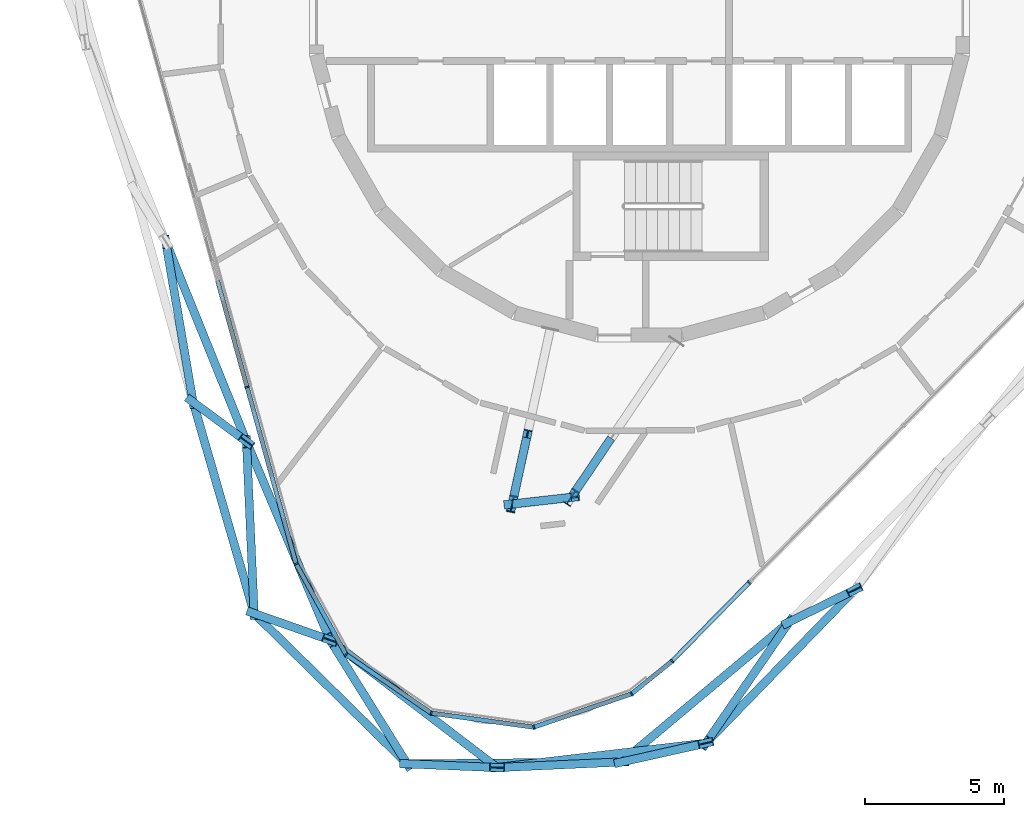
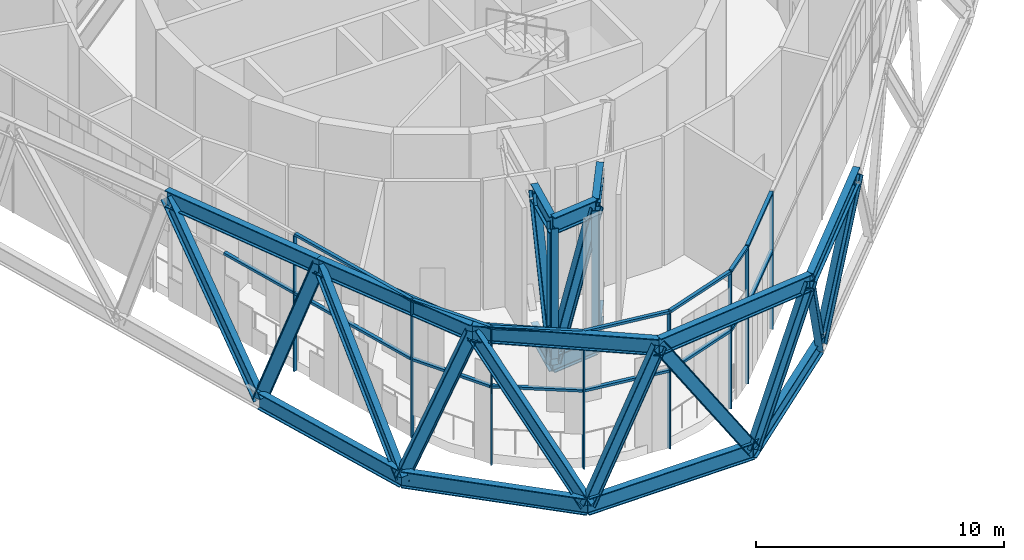
# One storey, part 1 of 23: 52 members, 3 elements without a shape of their own.
"""IFC4 building model written with IfcOpenShell, lengths in metres."""

import ifcopenshell
import ifcopenshell.guid

model = None  # the IFC model being written
_history = None  # IfcOwnerHistory: only IFC2X3 demands one
_inside = {}  # id of a spatial element -> (the spatial element, [elements in it])
_under = {}  # id of a project, library or spatial element -> (it, [spatial elements below it])
_declared = {}  # id of a project -> (the project, [libraries it declares])
_typed = {}  # id of a type object -> (the type object, [elements of that type])
_made_of = {}  # id of a material, layer set ... -> (it, [elements and type objects made of it])


def new_model(schema):
    """Start an empty IFC model of exactly this schema.

    Asked for "IFC4X3", IfcOpenShell would pick the latest addendum, in which some entities
    have other attributes; the version numbers below select the first issue.
    IFC2X3 requires an IfcOwnerHistory on every rooted entity: one is made here for all.
    """
    global model, _history
    if schema == "IFC4X3":
        model = ifcopenshell.file(schema_version=(4, 3, 0, 0))
    else:
        model = ifcopenshell.file(schema=schema)
    _inside.clear()
    _under.clear()
    _declared.clear()
    _typed.clear()
    _made_of.clear()
    _history = None
    if model.schema == "IFC2X3":
        org = make("IfcOrganization", Name="unknown")
        user = make(
            "IfcPersonAndOrganization",
            ThePerson=make("IfcPerson", FamilyName="unknown"),
            TheOrganization=org,
        )
        app = make(
            "IfcApplication",
            ApplicationDeveloper=org,
            Version="unknown",
            ApplicationFullName="unknown",
            ApplicationIdentifier="unknown",
        )
        _history = make(
            "IfcOwnerHistory",
            OwningUser=user,
            OwningApplication=app,
            ChangeAction="ADDED",
            CreationDate=0,
        )
    return model


def make(cls, **values):
    """One entity of the class cls with the attributes given. An attribute that is None is left unset."""
    return model.create_entity(
        cls, **{name: value for name, value in values.items() if value is not None}
    )


def rooted(cls, **values):
    """An entity with a GlobalId (a new one), such as an element, a storey or a relation."""
    return make(cls, GlobalId=ifcopenshell.guid.new(), OwnerHistory=_history, **values)


def si_unit(unit_type, name, prefix=None):
    """IfcSIUnit, for example si_unit("LENGTHUNIT", "METRE", prefix="MILLI")."""
    return make("IfcSIUnit", UnitType=unit_type, Prefix=prefix, Name=name)


def assignment(units):
    """IfcUnitAssignment: the units of a project."""
    return None if units is None else make("IfcUnitAssignment", Units=units)


def point(xyz):
    """IfcCartesianPoint."""
    return None if xyz is None else make("IfcCartesianPoint", Coordinates=xyz)


def direction(xyz):
    """IfcDirection."""
    return None if xyz is None else make("IfcDirection", DirectionRatios=xyz)


def frame(location, z_axis=None, x_axis=None):
    """IfcAxis2Placement3D, a coordinate frame: its origin and axes. An axis left out is left unset."""
    return make(
        "IfcAxis2Placement3D",
        Location=point(location),
        Axis=direction(z_axis),
        RefDirection=direction(x_axis),
    )


def frame_2d(location, x_axis=None):
    """IfcAxis2Placement2D, a coordinate frame in the plane: its origin and x axis."""
    return make(
        "IfcAxis2Placement2D", Location=point(location), RefDirection=direction(x_axis)
    )


def origin():
    """The frame at (0, 0, 0) with its axes left unset."""
    return frame((0.0, 0.0, 0.0))


def origin_2d():
    """The frame at (0, 0) in the plane with its x axis left unset."""
    return frame_2d((0.0, 0.0))


def place(relative_to, where):
    """IfcLocalPlacement: puts the frame where relative to a parent placement (None: the world)."""
    return make(
        "IfcLocalPlacement", PlacementRelTo=relative_to, RelativePlacement=where
    )


def context(
    kind, dimensions, precision=None, world=None, true_north=None, identifier=None
):
    """IfcGeometricRepresentationContext, for example the 3D "Model" context."""
    return make(
        "IfcGeometricRepresentationContext",
        ContextIdentifier=identifier,
        ContextType=kind,
        CoordinateSpaceDimension=dimensions,
        Precision=precision,
        WorldCoordinateSystem=world,
        TrueNorth=true_north,
    )


def subcontext(parent, identifier, kind, view, scale=None):
    """IfcGeometricRepresentationSubContext, for example "Body" below "Model"."""
    return make(
        "IfcGeometricRepresentationSubContext",
        ContextIdentifier=identifier,
        ContextType=kind,
        ParentContext=parent,
        TargetScale=scale,
        TargetView=view,
    )


def project(units=None, contexts=None):
    """IfcProject with its units and contexts."""
    return rooted(
        "IfcProject",
        Name="project",
        RepresentationContexts=contexts,
        UnitsInContext=assignment(units),
    )


def spatial(cls, under=None, at=None, **own):
    """A site, building, storey or space (cls), placed at a placement, below another one or the project."""
    s = rooted(cls, ObjectPlacement=at, **own)
    if under is not None:
        _under.setdefault(under.id(), (under, []))[1].append(s)
    return s


def profile(cls, at=None, kind="AREA", **sizes):
    """A parametric profile (cls). Its sizes go by their IFC names, for example OverallWidth=200.0."""
    return make(cls, ProfileType=kind, Position=at, **sizes)


def rectangle(**sizes):
    """IfcRectangleProfileDef."""
    return profile("IfcRectangleProfileDef", **sizes)


def i_section(**sizes):
    """IfcIShapeProfileDef."""
    return profile("IfcIShapeProfileDef", **sizes)


def extrude(swept, where, along, depth):
    """IfcExtrudedAreaSolid: the profile swept, set in the frame where, extruded along a direction by depth."""
    return make(
        "IfcExtrudedAreaSolid",
        SweptArea=swept,
        Position=where,
        ExtrudedDirection=direction(along),
        Depth=depth,
    )


def shape(context_of_items, identifier, shape_type, items):
    """IfcShapeRepresentation: the items that make up one representation, for example the "Body"."""
    return make(
        "IfcShapeRepresentation",
        ContextOfItems=context_of_items,
        RepresentationIdentifier=identifier,
        RepresentationType=shape_type,
        Items=items,
    )


def material(Name=None, Category=None):
    """IfcMaterial."""
    return make("IfcMaterial", Name=Name, Category=Category)


def layer(
    of_material, thickness, ventilated=None, Name=None, Category=None, Priority=None
):
    """IfcMaterialLayer: one layer of a wall or slab, of a material (None: an air gap)."""
    return make(
        "IfcMaterialLayer",
        Material=of_material,
        LayerThickness=thickness,
        IsVentilated=ventilated,
        Name=Name,
        Category=Category,
        Priority=Priority,
    )


def layer_set(layers, Name=None):
    """IfcMaterialLayerSet."""
    return make("IfcMaterialLayerSet", MaterialLayers=layers, LayerSetName=Name)


def material_profile(
    of_material, cross_section, Name=None, Category=None, Priority=None
):
    """IfcMaterialProfile: a cross section and its material."""
    return make(
        "IfcMaterialProfile",
        Name=Name,
        Material=of_material,
        Profile=cross_section,
        Priority=Priority,
        Category=Category,
    )


def profile_set(profiles, Name=None, composite=None):
    """IfcMaterialProfileSet."""
    return make(
        "IfcMaterialProfileSet",
        Name=Name,
        MaterialProfiles=profiles,
        CompositeProfile=composite,
    )


def made_of(thing, what):
    """Note that an element or type object is made of a material, layer set ...; save() writes the relation."""
    if what is not None:
        _made_of.setdefault(what.id(), (what, []))[1].append(thing)
    return thing


def type_object(cls, material=None, **own):
    """A type object (cls), such as IfcWallType, which elements share."""
    return made_of(rooted(cls, **own), material)


def element(
    cls,
    number,
    at=None,
    inside=None,
    cuts=None,
    type_object=None,
    material=None,
    context=None,
    identifier="Body",
    shape_type=None,
    held_by="IfcProductDefinitionShape",
    body=None,
    shapes=None,
    **own,
):
    """One element of the class cls, such as IfcWall. Its Tag is "e" and its number.

    at: its placement. inside: the storey or other place that contains it. cuts: it is an
    opening in that element (IfcRelVoidsElement). A single representation is given by context,
    identifier, shape_type and body (its items); several are given by shapes. held_by: the class
    of the entity that holds the representations. save() writes the other relations.
    """
    e = rooted(cls, Tag="e%d" % number, ObjectPlacement=at, **own)
    if body is not None:
        shapes = [shape(context, identifier, shape_type, body)]
    if shapes is not None:
        e.Representation = make(held_by, Representations=shapes)
    if inside is not None:
        _inside.setdefault(inside.id(), (inside, []))[1].append(e)
    if cuts is not None:
        rooted(
            "IfcRelVoidsElement", RelatingBuildingElement=cuts, RelatedOpeningElement=e
        )
    if type_object is not None:
        _typed.setdefault(type_object.id(), (type_object, []))[1].append(e)
    return made_of(e, material)


def aggregate(whole, parts):
    """IfcRelAggregates: a whole, such as a stair, and the parts it consists of."""
    return rooted("IfcRelAggregates", RelatingObject=whole, RelatedObjects=parts)


def save(model, path):
    """Write the relations noted so far, then the file.

    IfcRelAggregates (storeys below a building ...), IfcRelContainedInSpatialStructure (elements
    in a storey), IfcRelDefinesByType, IfcRelAssociatesMaterial and IfcRelDeclares: one each for
    every whole, place, type object, material and project.
    """
    for whole, parts in _under.values():
        aggregate(whole, parts)
    for where, things in _inside.values():
        rooted(
            "IfcRelContainedInSpatialStructure",
            RelatedElements=things,
            RelatingStructure=where,
        )
    for kind, things in _typed.values():
        rooted("IfcRelDefinesByType", RelatedObjects=things, RelatingType=kind)
    for what, things in _made_of.values():
        rooted("IfcRelAssociatesMaterial", RelatedObjects=things, RelatingMaterial=what)
    for by, libraries in _declared.values():
        rooted("IfcRelDeclares", RelatingContext=by, RelatedDefinitions=libraries)
    model.write(path)


model = new_model("IFC4")

# Units and contexts
model_context = context("Model", 3, precision=1e-05, world=origin(), true_north=direction((0.0, 1.0)))
body_context = subcontext(model_context, "Body", "Model", "MODEL_VIEW")
ifc_project = project(units=[si_unit("LENGTHUNIT", "METRE"), si_unit("AREAUNIT", "SQUARE_METRE"), si_unit("VOLUMEUNIT", "CUBIC_METRE"), si_unit("PLANEANGLEUNIT", "RADIAN"), si_unit("MASSUNIT", "GRAM", prefix="KILO")], contexts=[model_context])

# Site, building, storey
site_placement = place(None, origin())
site = spatial("IfcSite", under=ifc_project, at=site_placement, CompositionType="ELEMENT")
building_placement = place(site_placement, origin())
building = spatial("IfcBuilding", under=site, at=building_placement, Name="Spindle Arch Residences", CompositionType="ELEMENT")
storey_placement = place(building_placement, frame((0.0, 0.0, 326.199951171875)))
storey = spatial("IfcBuildingStorey", under=building, at=storey_placement, Name="L84", CompositionType="ELEMENT", Elevation=326.199951171875)

# Members
ifc_material_1 = material(Name="Steel S460ML, intumescent coating R 240", Category="steel")
ifc_material_profile_1 = material_profile(ifc_material_1, i_section(OverallWidth=0.302978515625, OverallDepth=0.81396484375, WebThickness=0.02099609375, FlangeThickness=0.0400390625, FilletRadius=0.030029296875, at=origin_2d()), Name="HEM 800")
ifc_profile_set_1 = profile_set([ifc_material_profile_1], Name="Steel S460ML, intumescent coating R 240")
member_type_1 = type_object("IfcMemberType", Name="Belt truss chord HEM 800", PredefinedType="CHORD", material=ifc_profile_set_1)
member_1_placement = place(storey_placement, frame((-16.090087890625, -14.069091796875, -0.85693359375), z_axis=(0.277695582509, -0.960669122776, 0.0), x_axis=(0.960669122776, 0.277695582509, 0.0)))
element("IfcMember", 1, at=member_1_placement, inside=storey, type_object=member_type_1, Name="Belt truss bottom chord L84.15", PredefinedType="CHORD", context=body_context, shape_type="SweptSolid", body=[
    extrude(i_section(OverallWidth=0.302978515625, OverallDepth=0.81396484375, WebThickness=0.02099609375, FlangeThickness=0.0400390625, FilletRadius=0.030029296875, at=origin_2d()), origin(), (0.0, 0.0, 1.0), 7.931884765625),
])
member_2_placement = place(storey_placement, frame((-13.887451171875, -21.68896484375, -0.85693359375), z_axis=(0.713111540448, -0.701050590813, 0.0), x_axis=(0.701050590813, 0.713111540448, 0.0)))
element("IfcMember", 2, at=member_2_placement, inside=storey, type_object=member_type_1, Name="Belt truss bottom chord L84.16", PredefinedType="CHORD", context=body_context, shape_type="SweptSolid", body=[
    extrude(i_section(OverallWidth=0.302978515625, OverallDepth=0.81396484375, WebThickness=0.02099609375, FlangeThickness=0.0400390625, FilletRadius=0.030029296875, at=origin_2d()), origin(), (0.0, 0.0, 1.0), 7.732421875),
])
member_3_placement = place(storey_placement, frame((-8.373291015625, -27.10986328125, -0.85693359375), z_axis=(0.999961202641, 0.00880870092, 0.0), x_axis=(-0.00880870092, 0.999961202641, 0.0)))
element("IfcMember", 3, at=member_3_placement, inside=storey, type_object=member_type_1, Name="Belt truss bottom chord L84.17", PredefinedType="CHORD", context=body_context, shape_type="SweptSolid", body=[
    extrude(i_section(OverallWidth=0.302978515625, OverallDepth=0.81396484375, WebThickness=0.02099609375, FlangeThickness=0.0400390625, FilletRadius=0.030029296875, at=origin_2d()), origin(), (0.0, 0.0, 1.0), 7.732666015625),
])
member_4_placement = place(storey_placement, frame((-0.640869140625, -27.041748046875, -0.85693359375), z_axis=(0.76713209274, 0.64148916771, 0.0), x_axis=(-0.64148916771, 0.76713209274, 0.0)))
element("IfcMember", 4, at=member_4_placement, inside=storey, type_object=member_type_1, Name="Belt truss bottom chord L84.18", PredefinedType="CHORD", context=body_context, shape_type="SweptSolid", body=[
    extrude(i_section(OverallWidth=0.302978515625, OverallDepth=0.81396484375, WebThickness=0.02099609375, FlangeThickness=0.0400390625, FilletRadius=0.030029296875, at=origin_2d()), origin(), (0.0, 0.0, 1.0), 7.87158203125),
])
member_5_placement = place(storey_placement, frame((-17.07470703125, -8.29443359375, 5.943115234375), z_axis=(0.374618986355, -0.927178847398, 0.0), x_axis=(0.927178847398, 0.374618986355, 0.0)))
element("IfcMember", 5, at=member_5_placement, inside=storey, type_object=member_type_1, Name="Belt truss top chord L84.14", PredefinedType="CHORD", context=body_context, shape_type="SweptSolid", body=[
    extrude(i_section(OverallWidth=0.302978515625, OverallDepth=0.81396484375, WebThickness=0.02099609375, FlangeThickness=0.0400390625, FilletRadius=0.030029296875, at=origin_2d()), origin(), (0.0, 0.0, 1.0), 7.765625),
])
member_6_placement = place(storey_placement, frame((-14.16552734375, -15.49462890625, 5.943115234375), z_axis=(0.388132942863, -0.921603395536, 0.0), x_axis=(0.921603395536, 0.388132942863, 0.0)))
element("IfcMember", 6, at=member_6_placement, inside=storey, type_object=member_type_1, Name="Belt truss top chord L84.15", PredefinedType="CHORD", context=body_context, shape_type="SweptSolid", body=[
    extrude(i_section(OverallWidth=0.302978515625, OverallDepth=0.81396484375, WebThickness=0.02099609375, FlangeThickness=0.0400390625, FilletRadius=0.030029296875, at=origin_2d()), origin(), (0.0, 0.0, 1.0), 7.7607421875),
])
member_7_placement = place(storey_placement, frame((-11.1533203125, -22.64697265625, 5.943115234375), z_axis=(0.794764705012, -0.606917674539, 0.0), x_axis=(0.606917674539, 0.794764705012, 0.0)))
element("IfcMember", 7, at=member_7_placement, inside=storey, type_object=member_type_1, Name="Belt truss top chord L84.16", PredefinedType="CHORD", context=body_context, shape_type="SweptSolid", body=[
    extrude(i_section(OverallWidth=0.302978515625, OverallDepth=0.81396484375, WebThickness=0.02099609375, FlangeThickness=0.0400390625, FilletRadius=0.030029296875, at=origin_2d()), origin(), (0.0, 0.0, 1.0), 7.575927734375),
])
member_8_placement = place(storey_placement, frame((-5.13232421875, -27.244873046875, 5.943115234375), z_axis=(0.993201983051, 0.116403697809, 0.0), x_axis=(-0.116403697809, 0.993201983051, 0.0)))
element("IfcMember", 8, at=member_8_placement, inside=storey, type_object=member_type_1, Name="Belt truss top chord L84.17", PredefinedType="CHORD", context=body_context, shape_type="SweptSolid", body=[
    extrude(i_section(OverallWidth=0.302978515625, OverallDepth=0.81396484375, WebThickness=0.02099609375, FlangeThickness=0.0400390625, FilletRadius=0.030029296875, at=origin_2d()), origin(), (0.0, 0.0, 1.0), 7.57568359375),
])
member_9_placement = place(storey_placement, frame((2.391845703125, -26.363037109375, 5.943115234375), z_axis=(0.696369694705, 0.717683250673, 0.0), x_axis=(-0.717683250673, 0.696369694705, 0.0)))
element("IfcMember", 9, at=member_9_placement, inside=storey, type_object=member_type_1, Name="Belt truss top chord L84.18", PredefinedType="CHORD", context=body_context, shape_type="SweptSolid", body=[
    extrude(i_section(OverallWidth=0.302978515625, OverallDepth=0.81396484375, WebThickness=0.02099609375, FlangeThickness=0.0400390625, FilletRadius=0.030029296875, at=origin_2d()), origin(), (0.0, 0.0, 1.0), 7.697509765625),
])
ifc_material_2 = material(Name="Steel S460ML, intumescent coating R 240", Category="steel")
ifc_material_profile_2 = material_profile(ifc_material_2, i_section(OverallWidth=0.300048828125, OverallDepth=0.60009765625, WebThickness=0.015380859375, FlangeThickness=0.030029296875, FilletRadius=0.027099609375, at=origin_2d()), Name="HEB 600")
ifc_profile_set_2 = profile_set([ifc_material_profile_2], Name="Steel S460ML, intumescent coating R 240")
member_type_2 = type_object("IfcMemberType", Name="Belt truss diagonal HEB 600", PredefinedType="BRACE", material=ifc_profile_set_2)
member_10_placement = place(storey_placement, frame((-16.090087890625, -14.069091796875, -0.85693359375), z_axis=(-0.109702652136, 0.643391230096, 0.757636491433), x_axis=(-0.985773163999, -0.168081138562, 0.0)))
element("IfcMember", 10, at=member_10_placement, inside=storey, type_object=member_type_2, Name="Belt truss diagonal L84.14.15", PredefinedType="BRACE", context=body_context, shape_type="SweptSolid", body=[
    extrude(i_section(OverallWidth=0.300048828125, OverallDepth=0.60009765625, WebThickness=0.015380859375, FlangeThickness=0.030029296875, FilletRadius=0.027099609375, at=origin_2d()), origin(), (0.0, 0.0, 1.0), 8.975341796875),
])
member_11_placement = place(storey_placement, frame((-16.090087890625, -14.069091796875, -0.85693359375), z_axis=(0.266948204482, -0.197730631228, 0.943207958829), x_axis=(0.59521048574, 0.80356983372, 0.0)))
element("IfcMember", 11, at=member_11_placement, inside=storey, type_object=member_type_2, Name="Belt truss diagonal L84.15.15", PredefinedType="BRACE", context=body_context, shape_type="SweptSolid", body=[
    extrude(i_section(OverallWidth=0.300048828125, OverallDepth=0.60009765625, WebThickness=0.015380859375, FlangeThickness=0.030029296875, FilletRadius=0.027099609375, at=origin_2d()), origin(), (0.0, 0.0, 1.0), 7.20947265625),
])
member_12_placement = place(storey_placement, frame((-13.887451171875, -21.68896484375, -0.85693359375), z_axis=(-0.030217141692, 0.673107391578, 0.738927170803), x_axis=(-0.998993874329, -0.044846839936, 0.0)))
element("IfcMember", 12, at=member_12_placement, inside=storey, type_object=member_type_2, Name="Belt truss diagonal L84.15.16", PredefinedType="BRACE", context=body_context, shape_type="SweptSolid", body=[
    extrude(i_section(OverallWidth=0.300048828125, OverallDepth=0.60009765625, WebThickness=0.015380859375, FlangeThickness=0.030029296875, FilletRadius=0.027099609375, at=origin_2d()), origin(), (0.0, 0.0, 1.0), 9.20263671875),
])
member_13_placement = place(storey_placement, frame((-13.887451171875, -21.68896484375, -0.85693359375), z_axis=(0.369903241404, -0.129609815097, 0.919985265007), x_axis=(0.330676976142, 0.943743999954, 0.0)))
element("IfcMember", 13, at=member_13_placement, inside=storey, type_object=member_type_2, Name="Belt truss diagonal L84.16.16", PredefinedType="BRACE", context=body_context, shape_type="SweptSolid", body=[
    extrude(i_section(OverallWidth=0.300048828125, OverallDepth=0.60009765625, WebThickness=0.015380859375, FlangeThickness=0.030029296875, FilletRadius=0.027099609375, at=origin_2d()), origin(), (0.0, 0.0, 1.0), 7.391357421875),
])
member_14_placement = place(storey_placement, frame((-8.373291015625, -27.10986328125, -0.85693359375), z_axis=(-0.323419702777, 0.519198398768, 0.791095897204), x_axis=(-0.848790363254, -0.528729533171, 0.0)))
element("IfcMember", 14, at=member_14_placement, inside=storey, type_object=member_type_2, Name="Belt truss diagonal L84.16.17", PredefinedType="BRACE", context=body_context, shape_type="SweptSolid", body=[
    extrude(i_section(OverallWidth=0.300048828125, OverallDepth=0.60009765625, WebThickness=0.015380859375, FlangeThickness=0.030029296875, FilletRadius=0.027099609375, at=origin_2d()), origin(), (0.0, 0.0, 1.0), 8.595703125),
])
member_15_placement = place(storey_placement, frame((-8.373291015625, -27.10986328125, -0.85693359375), z_axis=(0.430172694044, -0.017919811661, 0.902568741786), x_axis=(0.041621152979, 0.99913346437, 0.0)))
element("IfcMember", 15, at=member_15_placement, inside=storey, type_object=member_type_2, Name="Belt truss diagonal L84.17.17", PredefinedType="BRACE", context=body_context, shape_type="SweptSolid", body=[
    extrude(i_section(OverallWidth=0.300048828125, OverallDepth=0.60009765625, WebThickness=0.015380859375, FlangeThickness=0.030029296875, FilletRadius=0.027099609375, at=origin_2d()), origin(), (0.0, 0.0, 1.0), 7.5341796875),
])
member_16_placement = place(storey_placement, frame((-0.640869140625, -27.041748046875, -0.85693359375), z_axis=(-0.550963624274, -0.02491720038, 0.834157190134), x_axis=(0.045178587091, -0.998978926339, 0.0)))
element("IfcMember", 16, at=member_16_placement, inside=storey, type_object=member_type_2, Name="Belt truss diagonal L84.17.18", PredefinedType="BRACE", context=body_context, shape_type="SweptSolid", body=[
    extrude(i_section(OverallWidth=0.300048828125, OverallDepth=0.60009765625, WebThickness=0.015380859375, FlangeThickness=0.030029296875, FilletRadius=0.027099609375, at=origin_2d()), origin(), (0.0, 0.0, 1.0), 8.152099609375),
])
member_17_placement = place(storey_placement, frame((-0.640869140625, -27.041748046875, -0.85693359375), z_axis=(0.405630714083, 0.090778730088, 0.90951797451), x_axis=(-0.218394185052, 0.975860635509, 0.0)))
element("IfcMember", 17, at=member_17_placement, inside=storey, type_object=member_type_2, Name="Belt truss diagonal L84.18.18", PredefinedType="BRACE", context=body_context, shape_type="SweptSolid", body=[
    extrude(i_section(OverallWidth=0.300048828125, OverallDepth=0.60009765625, WebThickness=0.015380859375, FlangeThickness=0.030029296875, FilletRadius=0.027099609375, at=origin_2d()), origin(), (0.0, 0.0, 1.0), 7.4765625),
])
member_18_placement = place(storey_placement, frame((5.397705078125, -21.9921875, -0.85693359375), z_axis=(-0.348529901507, -0.506800749405, 0.788466808533), x_axis=(0.823962686976, -0.566644059769, 0.0)))
element("IfcMember", 18, at=member_18_placement, inside=storey, type_object=member_type_2, Name="Belt truss diagonal L84.18.19", PredefinedType="BRACE", context=body_context, shape_type="SweptSolid", body=[
    extrude(i_section(OverallWidth=0.300048828125, OverallDepth=0.60009765625, WebThickness=0.015380859375, FlangeThickness=0.030029296875, FilletRadius=0.027099609375, at=origin_2d()), origin(), (0.0, 0.0, 1.0), 8.62451171875),
])
member_19_placement = place(storey_placement, frame((5.397705078125, -21.9921875, -0.85693359375), z_axis=(0.3230640448, 0.15828262253, 0.933046748219), x_axis=(-0.439973198285, 0.898010904606, 0.0)))
element("IfcMember", 19, at=member_19_placement, inside=storey, type_object=member_type_2, Name="Belt truss diagonal L84.19.19", PredefinedType="BRACE", context=body_context, shape_type="SweptSolid", body=[
    extrude(i_section(OverallWidth=0.300048828125, OverallDepth=0.60009765625, WebThickness=0.015380859375, FlangeThickness=0.030029296875, FilletRadius=0.027099609375, at=origin_2d()), origin(), (0.0, 0.0, 1.0), 7.2880859375),
])

# Curtain wall, members
ifc_material_3 = material(Name="Aluminium bronze unitised frame with tinted glass", Category="aluminium")
ifc_layer = layer(ifc_material_3, 0.159912109375)
ifc_layer_set = layer_set([ifc_layer], Name="CW-E double-height winter garden wall")
curtain_wall_type = type_object("IfcCurtainWallType", Name="CW-E double-height winter garden wall", PredefinedType="NOTDEFINED", material=ifc_layer_set)
curtain_wall_1_placement = place(storey_placement, origin())
curtain_wall_1 = element("IfcCurtainWall", 20, at=curtain_wall_1_placement, inside=storey, type_object=curtain_wall_type, Name="CW-E L84 run 5", PredefinedType="NOTDEFINED")
ifc_material_4 = material(Name="Aluminium bronze anodised mullion", Category="aluminium")
ifc_material_profile_3 = material_profile(ifc_material_4, rectangle(XDim=0.159912109375, YDim=0.06005859375, at=origin_2d()), Name="MU 60x160")
ifc_profile_set_3 = profile_set([ifc_material_profile_3], Name="Aluminium bronze anodised mullion")
member_type_3 = type_object("IfcMemberType", Name="Bronze mullion 60x160", PredefinedType="MULLION", material=ifc_profile_set_3)
member_20_placement = place(storey_placement, frame((-14.1435546875, -13.529296875, -0.449951171875), z_axis=(0.0, 0.0, 1.0), x_axis=(0.963630453209, 0.267238376078, 0.0)))
member_20 = element("IfcMember", 21, at=member_20_placement, type_object=member_type_3, Name="CW-E mullion 00", PredefinedType="MULLION", context=body_context, shape_type="SweptSolid", body=[
    extrude(rectangle(XDim=0.159912109375, YDim=0.06005859375, at=origin_2d()), origin(), (0.0, 0.0, 1.0), 6.679931640625),
])
member_21_placement = place(storey_placement, frame((-12.37548828125, -19.90478515625, -0.449951171875), z_axis=(0.0, 0.0, 1.0), x_axis=(0.876026260142, 0.482263404731, 0.0)))
member_21 = element("IfcMember", 22, at=member_21_placement, type_object=member_type_3, Name="CW-E mullion 01", PredefinedType="MULLION", context=body_context, shape_type="SweptSolid", body=[
    extrude(rectangle(XDim=0.159912109375, YDim=0.06005859375, at=origin_2d()), origin(), (0.0, 0.0, 1.0), 6.679931640625),
])
member_22_placement = place(storey_placement, frame((-10.578125, -23.16943359375, -0.449951171875), z_axis=(0.0, 0.0, 1.0), x_axis=(0.566406236997, 0.824126188573, 0.0)))
member_22 = element("IfcMember", 23, at=member_22_placement, type_object=member_type_3, Name="CW-E mullion 02", PredefinedType="MULLION", context=body_context, shape_type="SweptSolid", body=[
    extrude(rectangle(XDim=0.159912109375, YDim=0.06005859375, at=origin_2d()), origin(), (0.0, 0.0, 1.0), 6.679931640625),
])
member_23_placement = place(storey_placement, frame((-7.5068359375, -25.2802734375, -0.449951171875), z_axis=(0.0, 0.0, 1.0), x_axis=(0.136291936259, 0.99066871764, 0.0)))
member_23 = element("IfcMember", 24, at=member_23_placement, type_object=member_type_3, Name="CW-E mullion 03", PredefinedType="MULLION", context=body_context, shape_type="SweptSolid", body=[
    extrude(rectangle(XDim=0.159912109375, YDim=0.06005859375, at=origin_2d()), origin(), (0.0, 0.0, 1.0), 6.679931640625),
])
member_24_placement = place(storey_placement, frame((-3.81494140625, -25.788330078125, -0.449951171875), z_axis=(0.0, 0.0, 1.0), x_axis=(-0.322816381002, 0.946461612616, 0.0)))
member_24 = element("IfcMember", 25, at=member_24_placement, type_object=member_type_3, Name="CW-E mullion 04", PredefinedType="MULLION", context=body_context, shape_type="SweptSolid", body=[
    extrude(rectangle(XDim=0.159912109375, YDim=0.06005859375, at=origin_2d()), origin(), (0.0, 0.0, 1.0), 6.679931640625),
])
member_25_placement = place(storey_placement, frame((-0.28759765625, -24.585205078125, -0.449951171875), z_axis=(0.0, 0.0, 1.0), x_axis=(-0.627057102153, 0.778973292636, 0.0)))
member_25 = element("IfcMember", 26, at=member_25_placement, type_object=member_type_3, Name="CW-E mullion 05", PredefinedType="MULLION", context=body_context, shape_type="SweptSolid", body=[
    extrude(rectangle(XDim=0.159912109375, YDim=0.06005859375, at=origin_2d()), origin(), (0.0, 0.0, 1.0), 6.679931640625),
])
member_26_placement = place(storey_placement, frame((1.173828125, -23.40869140625, -0.449951171875), z_axis=(0.0, 0.0, 1.0), x_axis=(-0.713250449154, 0.7009092643, 0.0)))
member_26 = element("IfcMember", 27, at=member_26_placement, type_object=member_type_3, Name="CW-E mullion 06", PredefinedType="MULLION", context=body_context, shape_type="SweptSolid", body=[
    extrude(rectangle(XDim=0.159912109375, YDim=0.06005859375, at=origin_2d()), origin(), (0.0, 0.0, 1.0), 6.679931640625),
])

# Curtain wall, member
curtain_wall_2_placement = place(storey_placement, origin())
curtain_wall_2 = element("IfcCurtainWall", 28, at=curtain_wall_2_placement, inside=storey, type_object=curtain_wall_type, Name="CW-E L84 run 6", PredefinedType="NOTDEFINED")
member_27_placement = place(storey_placement, frame((3.95703125, -20.576416015625, -0.449951171875), z_axis=(0.0, 0.0, 1.0), x_axis=(-0.713250449154, 0.7009092643, 0.0)))
member_27 = element("IfcMember", 29, at=member_27_placement, type_object=member_type_3, Name="CW-E mullion 18", PredefinedType="MULLION", context=body_context, shape_type="SweptSolid", body=[
    extrude(rectangle(XDim=0.159912109375, YDim=0.06005859375, at=origin_2d()), origin(), (0.0, 0.0, 1.0), 6.679931640625),
])
aggregate(curtain_wall_2, [member_27])

curtain_wall_3_placement = place(storey_placement, origin())
curtain_wall_3 = element("IfcCurtainWall", 30, at=curtain_wall_3_placement, inside=storey, type_object=curtain_wall_type, Name="CW-E L84 run 4", PredefinedType="NOTDEFINED")
ifc_material_5 = material(Name="Aluminium bronze anodised transom", Category="aluminium")
ifc_material_profile_4 = material_profile(ifc_material_5, rectangle(XDim=0.159912109375, YDim=0.1201171875, at=origin_2d()), Name="TR 120x160")
ifc_profile_set_4 = profile_set([ifc_material_profile_4], Name="Aluminium bronze anodised transom")
member_type_4 = type_object("IfcMemberType", Name="Bronze transom 120x160", PredefinedType="USERDEFINED", material=ifc_profile_set_4)
member_28_placement = place(storey_placement, frame((-15.203857421875, -9.7060546875, 3.400146484375), z_axis=(0.267285697076, -0.963617328683, 0.0), x_axis=(0.963617328683, 0.267285697076, 0.0)))
member_28 = element("IfcMember", 31, at=member_28_placement, type_object=member_type_4, Name="CW-E transom 13Bm", ObjectType="TRANSOM", PredefinedType="USERDEFINED", context=body_context, shape_type="SweptSolid", body=[
    extrude(rectangle(XDim=0.159912109375, YDim=0.1201171875, at=origin_2d()), origin(), (0.0, 0.0, 1.0), 3.937744140625),
])
aggregate(curtain_wall_3, [member_28])

# Member
member_29_placement = place(storey_placement, frame((-14.135498046875, -13.558349609375, 6.2900390625), z_axis=(0.267236650425, -0.963630931773, 0.0), x_axis=(0.963630931773, 0.267236650425, 0.0)))
member_29 = element("IfcMember", 32, at=member_29_placement, type_object=member_type_4, Name="CW-E transom 00", ObjectType="TRANSOM", PredefinedType="USERDEFINED", context=body_context, shape_type="SweptSolid", body=[
    extrude(rectangle(XDim=0.159912109375, YDim=0.1201171875, at=origin_2d()), origin(), (0.0, 0.0, 1.0), 6.555908203125),
])

member_30_placement = place(storey_placement, frame((-14.135498046875, -13.558349609375, 3.400146484375), z_axis=(0.267236650425, -0.963630931773, 0.0), x_axis=(0.963630931773, 0.267236650425, 0.0)))
member_30 = element("IfcMember", 33, at=member_30_placement, type_object=member_type_4, Name="CW-E transom 00m", ObjectType="TRANSOM", PredefinedType="USERDEFINED", context=body_context, shape_type="SweptSolid", body=[
    extrude(rectangle(XDim=0.159912109375, YDim=0.1201171875, at=origin_2d()), origin(), (0.0, 0.0, 1.0), 6.555908203125),
])

member_31_placement = place(storey_placement, frame((-12.36083984375, -19.930908203125, 6.2900390625), z_axis=(0.482258656, -0.87602887436, 0.0), x_axis=(0.87602887436, 0.482258656, 0.0)))
member_31 = element("IfcMember", 34, at=member_31_placement, type_object=member_type_4, Name="CW-E transom 01", ObjectType="TRANSOM", PredefinedType="USERDEFINED", context=body_context, shape_type="SweptSolid", body=[
    extrude(rectangle(XDim=0.159912109375, YDim=0.1201171875, at=origin_2d()), origin(), (0.0, 0.0, 1.0), 3.666748046875),
])

member_32_placement = place(storey_placement, frame((-12.36083984375, -19.930908203125, 3.400146484375), z_axis=(0.482258656, -0.87602887436, 0.0), x_axis=(0.87602887436, 0.482258656, 0.0)))
member_32 = element("IfcMember", 35, at=member_32_placement, type_object=member_type_4, Name="CW-E transom 01m", ObjectType="TRANSOM", PredefinedType="USERDEFINED", context=body_context, shape_type="SweptSolid", body=[
    extrude(rectangle(XDim=0.159912109375, YDim=0.1201171875, at=origin_2d()), origin(), (0.0, 0.0, 1.0), 3.666748046875),
])

member_33_placement = place(storey_placement, frame((-10.553466796875, -23.1865234375, 6.2900390625), z_axis=(0.824162355163, -0.566353610682, 0.0), x_axis=(0.566353610682, 0.824162355163, 0.0)))
member_33 = element("IfcMember", 36, at=member_33_placement, type_object=member_type_4, Name="CW-E transom 02", ObjectType="TRANSOM", PredefinedType="USERDEFINED", context=body_context, shape_type="SweptSolid", body=[
    extrude(rectangle(XDim=0.159912109375, YDim=0.1201171875, at=origin_2d()), origin(), (0.0, 0.0, 1.0), 3.666748046875),
])

member_34_placement = place(storey_placement, frame((-10.553466796875, -23.1865234375, 3.400146484375), z_axis=(0.824162355163, -0.566353610682, 0.0), x_axis=(0.566353610682, 0.824162355163, 0.0)))
member_34 = element("IfcMember", 37, at=member_34_placement, type_object=member_type_4, Name="CW-E transom 02m", ObjectType="TRANSOM", PredefinedType="USERDEFINED", context=body_context, shape_type="SweptSolid", body=[
    extrude(rectangle(XDim=0.159912109375, YDim=0.1201171875, at=origin_2d()), origin(), (0.0, 0.0, 1.0), 3.666748046875),
])

member_35_placement = place(storey_placement, frame((-7.47705078125, -25.284423828125, 6.2900390625), z_axis=(0.9906686165, -0.136292671414, 0.0), x_axis=(0.136292671414, 0.9906686165, 0.0)))
member_35 = element("IfcMember", 38, at=member_35_placement, type_object=member_type_4, Name="CW-E transom 03", ObjectType="TRANSOM", PredefinedType="USERDEFINED", context=body_context, shape_type="SweptSolid", body=[
    extrude(rectangle(XDim=0.159912109375, YDim=0.1201171875, at=origin_2d()), origin(), (0.0, 0.0, 1.0), 3.666748046875),
])

member_36_placement = place(storey_placement, frame((-7.47705078125, -25.284423828125, 3.400146484375), z_axis=(0.9906686165, -0.136292671414, 0.0), x_axis=(0.136292671414, 0.9906686165, 0.0)))
member_36 = element("IfcMember", 39, at=member_36_placement, type_object=member_type_4, Name="CW-E transom 03m", ObjectType="TRANSOM", PredefinedType="USERDEFINED", context=body_context, shape_type="SweptSolid", body=[
    extrude(rectangle(XDim=0.159912109375, YDim=0.1201171875, at=origin_2d()), origin(), (0.0, 0.0, 1.0), 3.666748046875),
])

member_37_placement = place(storey_placement, frame((-3.786376953125, -25.778564453125, 6.2900390625), z_axis=(0.946449629286, 0.322851512656, 0.0), x_axis=(-0.322851512656, 0.946449629286, 0.0)))
member_37 = element("IfcMember", 40, at=member_37_placement, type_object=member_type_4, Name="CW-E transom 04", ObjectType="TRANSOM", PredefinedType="USERDEFINED", context=body_context, shape_type="SweptSolid", body=[
    extrude(rectangle(XDim=0.159912109375, YDim=0.1201171875, at=origin_2d()), origin(), (0.0, 0.0, 1.0), 3.666748046875),
])

member_38_placement = place(storey_placement, frame((-3.786376953125, -25.778564453125, 3.400146484375), z_axis=(0.946449629286, 0.322851512656, 0.0), x_axis=(-0.322851512656, 0.946449629286, 0.0)))
member_38 = element("IfcMember", 41, at=member_38_placement, type_object=member_type_4, Name="CW-E transom 04m", ObjectType="TRANSOM", PredefinedType="USERDEFINED", context=body_context, shape_type="SweptSolid", body=[
    extrude(rectangle(XDim=0.159912109375, YDim=0.1201171875, at=origin_2d()), origin(), (0.0, 0.0, 1.0), 3.666748046875),
])

member_39_placement = place(storey_placement, frame((-0.26416015625, -24.56640625, 6.2900390625), z_axis=(0.778910776855, 0.627134755614, 0.0), x_axis=(-0.627134755614, 0.778910776855, 0.0)))
member_39 = element("IfcMember", 42, at=member_39_placement, type_object=member_type_4, Name="CW-E transom 05", ObjectType="TRANSOM", PredefinedType="USERDEFINED", context=body_context, shape_type="SweptSolid", body=[
    extrude(rectangle(XDim=0.159912109375, YDim=0.1201171875, at=origin_2d()), origin(), (0.0, 0.0, 1.0), 1.816162109375),
])

member_40_placement = place(storey_placement, frame((-0.26416015625, -24.56640625, 3.400146484375), z_axis=(0.778910776855, 0.627134755614, 0.0), x_axis=(-0.627134755614, 0.778910776855, 0.0)))
member_40 = element("IfcMember", 43, at=member_40_placement, type_object=member_type_4, Name="CW-E transom 05m", ObjectType="TRANSOM", PredefinedType="USERDEFINED", context=body_context, shape_type="SweptSolid", body=[
    extrude(rectangle(XDim=0.159912109375, YDim=0.1201171875, at=origin_2d()), origin(), (0.0, 0.0, 1.0), 1.816162109375),
])

member_41_placement = place(storey_placement, frame((1.19482421875, -23.387451171875, 6.2900390625), z_axis=(0.70089977121, 0.713259777863, 0.0), x_axis=(-0.713259777863, 0.70089977121, 0.0)))
member_41 = element("IfcMember", 44, at=member_41_placement, type_object=member_type_4, Name="CW-E transom 06", ObjectType="TRANSOM", PredefinedType="USERDEFINED", context=body_context, shape_type="SweptSolid", body=[
    extrude(rectangle(XDim=0.159912109375, YDim=0.1201171875, at=origin_2d()), origin(), (0.0, 0.0, 1.0), 3.910888671875),
])

member_42_placement = place(storey_placement, frame((1.19482421875, -23.387451171875, 3.400146484375), z_axis=(0.70089977121, 0.713259777863, 0.0), x_axis=(-0.713259777863, 0.70089977121, 0.0)))
member_42 = element("IfcMember", 45, at=member_42_placement, type_object=member_type_4, Name="CW-E transom 06m", ObjectType="TRANSOM", PredefinedType="USERDEFINED", context=body_context, shape_type="SweptSolid", body=[
    extrude(rectangle(XDim=0.159912109375, YDim=0.1201171875, at=origin_2d()), origin(), (0.0, 0.0, 1.0), 3.910888671875),
])

aggregate(curtain_wall_1, [member_20, member_29, member_30, member_21, member_31, member_32, member_22, member_33, member_34, member_23, member_35, member_36, member_24, member_37, member_38, member_25, member_39, member_40, member_26, member_41, member_42])

# Members
ifc_material_6 = material(Name="Steel S460ML, intumescent coating R 240", Category="steel")
ifc_material_profile_5 = material_profile(ifc_material_6, i_section(OverallWidth=0.302978515625, OverallDepth=0.81396484375, WebThickness=0.02099609375, FlangeThickness=0.0400390625, FilletRadius=0.030029296875, at=origin_2d()), Name="HEM 800")
ifc_profile_set_5 = profile_set([ifc_material_profile_5], Name="Steel S460ML, intumescent coating R 240")
member_type_5 = type_object("IfcMemberType", Name="Transfer truss chord HEM 800", PredefinedType="CHORD", material=ifc_profile_set_5)
for number, where, z_axis, x_axis, name in (
    (46, (-4.069091796875, -15.354736328125, -0.85693359375), (-0.212649209606, -0.977128606507, 0.0), (0.977128606507, -0.212649209606, 0.0), "Transfer truss chord L84"),
    (47, (-4.069091796875, -15.354736328125, 5.943115234375), (-0.212649209606, -0.977128606507, 0.0), (0.977128606507, -0.212649209606, 0.0), "Transfer truss chord L84"),
):
    element("IfcMember", number, at=place(storey_placement, frame(where, z_axis=z_axis, x_axis=x_axis)), inside=storey, type_object=member_type_5, Name=name, PredefinedType="CHORD", context=body_context, shape_type="SweptSolid", body=[
        extrude(i_section(OverallWidth=0.302978515625, OverallDepth=0.81396484375, WebThickness=0.02099609375, FlangeThickness=0.0400390625, FilletRadius=0.030029296875, at=origin_2d()), origin(), (0.0, 0.0, 1.0), 2.446533203125),
    ])
for number, where, z_axis, x_axis, name in (
    (48, (-4.58935546875, -17.745361328125, -0.85693359375), (0.993682011177, 0.112232173032, 0.0), (-0.112232173032, 0.993682011177, 0.0), "Transfer truss chord L84"),
    (49, (-4.58935546875, -17.745361328125, 5.943115234375), (0.993682011177, 0.112232173032, 0.0), (-0.112232173032, 0.993682011177, 0.0), "Transfer truss chord L84"),
):
    element("IfcMember", number, at=place(storey_placement, frame(where, z_axis=z_axis, x_axis=x_axis)), inside=storey, type_object=member_type_5, Name=name, PredefinedType="CHORD", context=body_context, shape_type="SweptSolid", body=[
        extrude(i_section(OverallWidth=0.302978515625, OverallDepth=0.81396484375, WebThickness=0.02099609375, FlangeThickness=0.0400390625, FilletRadius=0.030029296875, at=origin_2d()), origin(), (0.0, 0.0, 1.0), 2.142578125),
    ])
for number, where, z_axis, x_axis, name in (
    (50, (-1.0205078125, -15.373779296875, -0.85693359375), (-0.559793996948, -0.828631812677, 0.0), (0.828631812677, -0.559793996948, 0.0), "Transfer truss chord L84"),
    (51, (-1.0205078125, -15.373779296875, 5.943115234375), (-0.559793996948, -0.828631812677, 0.0), (0.828631812677, -0.559793996948, 0.0), "Transfer truss chord L84"),
):
    element("IfcMember", number, at=place(storey_placement, frame(where, z_axis=z_axis, x_axis=x_axis)), inside=storey, type_object=member_type_5, Name=name, PredefinedType="CHORD", context=body_context, shape_type="SweptSolid", body=[
        extrude(i_section(OverallWidth=0.302978515625, OverallDepth=0.81396484375, WebThickness=0.02099609375, FlangeThickness=0.0400390625, FilletRadius=0.030029296875, at=origin_2d()), origin(), (0.0, 0.0, 1.0), 2.57177734375),
    ])
ifc_material_7 = material(Name="Steel S460ML, intumescent coating R 240", Category="steel")
ifc_material_profile_6 = material_profile(ifc_material_7, i_section(OverallWidth=0.304931640625, OverallDepth=0.6201171875, WebThickness=0.02099609375, FlangeThickness=0.0400390625, FilletRadius=0.027099609375, at=origin_2d()), Name="HEM 600")
ifc_profile_set_6 = profile_set([ifc_material_profile_6], Name="Steel S460ML, intumescent coating R 240")
member_type_6 = type_object("IfcMemberType", Name="Transfer truss diagonal HEM 600", PredefinedType="BRACE", material=ifc_profile_set_6)
member_43_placement = place(storey_placement, frame((-4.58935546875, -17.745361328125, -0.85693359375), z_axis=(0.071991023384, 0.330800610502, 0.940950715311), x_axis=(-0.977128606507, 0.212649209606, 0.0)))
element("IfcMember", 52, at=member_43_placement, inside=storey, type_object=member_type_6, Name="Transfer truss diagonal L84", PredefinedType="BRACE", context=body_context, shape_type="SweptSolid", body=[
    extrude(i_section(OverallWidth=0.304931640625, OverallDepth=0.6201171875, WebThickness=0.02099609375, FlangeThickness=0.0400390625, FilletRadius=0.027099609375, at=origin_2d()), origin(), (0.0, 0.0, 1.0), 7.226806640625),
])
member_44_placement = place(storey_placement, frame((-4.58935546875, -17.745361328125, -0.85693359375), z_axis=(0.298633620426, 0.033729402147, 0.95377161217), x_axis=(-0.112232173032, 0.993682011177, 0.0)))
element("IfcMember", 53, at=member_44_placement, inside=storey, type_object=member_type_6, Name="Transfer truss diagonal L84", PredefinedType="BRACE", context=body_context, shape_type="SweptSolid", body=[
    extrude(i_section(OverallWidth=0.304931640625, OverallDepth=0.6201171875, WebThickness=0.02099609375, FlangeThickness=0.0400390625, FilletRadius=0.027099609375, at=origin_2d()), origin(), (0.0, 0.0, 1.0), 7.129638671875),
])
ifc_material_8 = material(Name="Steel S460ML, intumescent coating R 240", Category="steel")
ifc_material_profile_7 = material_profile(ifc_material_8, i_section(OverallWidth=0.300048828125, OverallDepth=0.60009765625, WebThickness=0.015380859375, FlangeThickness=0.030029296875, FilletRadius=0.027099609375, at=origin_2d()), Name="HEB 600")
ifc_profile_set_7 = profile_set([ifc_material_profile_7], Name="Steel S460ML, intumescent coating R 240")
member_type_7 = type_object("IfcMemberType", Name="Transfer truss post HEB 600", PredefinedType="POST", material=ifc_profile_set_7)
member_45_placement = place(storey_placement, frame((-4.58935546875, -17.745361328125, -0.449951171875), z_axis=(0.0, 0.0, 1.0), x_axis=(-0.977138928856, 0.212601772604, 0.0)))
element("IfcMember", 54, at=member_45_placement, inside=storey, type_object=member_type_7, Name="Transfer truss post L84", PredefinedType="POST", context=body_context, shape_type="SweptSolid", body=[
    extrude(i_section(OverallWidth=0.300048828125, OverallDepth=0.60009765625, WebThickness=0.015380859375, FlangeThickness=0.030029296875, FilletRadius=0.027099609375, at=origin_2d()), origin(), (0.0, 0.0, 1.0), 6.39306640625),
])
member_46_placement = place(storey_placement, frame((-2.460205078125, -17.5048828125, -0.85693359375), z_axis=(0.0, 0.0, 1.0), x_axis=(-0.828625861786, 0.559802805619, 0.0)))
element("IfcMember", 55, at=member_46_placement, inside=storey, type_object=member_type_7, Name="Transfer truss post L84", PredefinedType="POST", context=body_context, shape_type="SweptSolid", body=[
    extrude(i_section(OverallWidth=0.300048828125, OverallDepth=0.60009765625, WebThickness=0.015380859375, FlangeThickness=0.030029296875, FilletRadius=0.027099609375, at=origin_2d()), origin(), (0.0, 0.0, 1.0), 6.800048828125),
])

save(model, "model.ifc")
